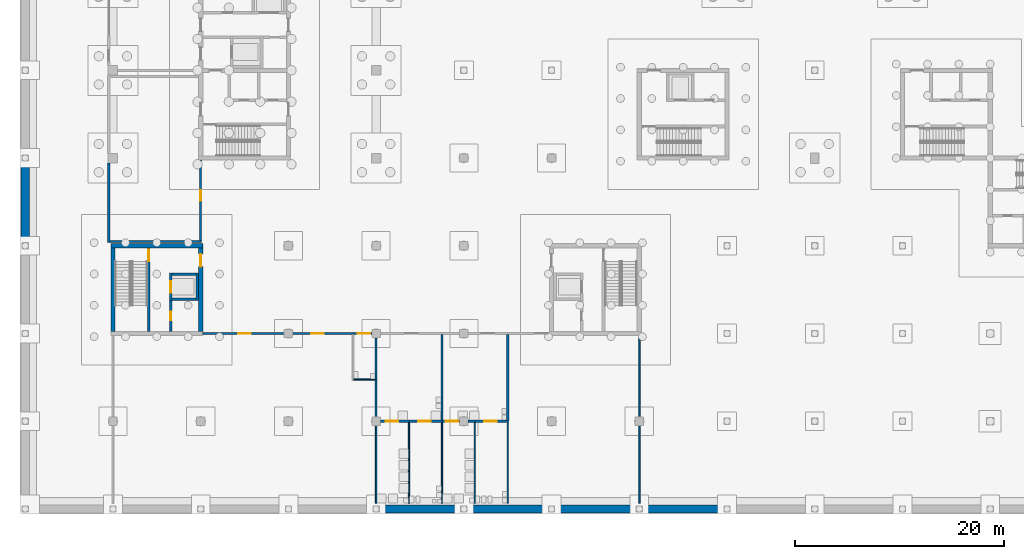
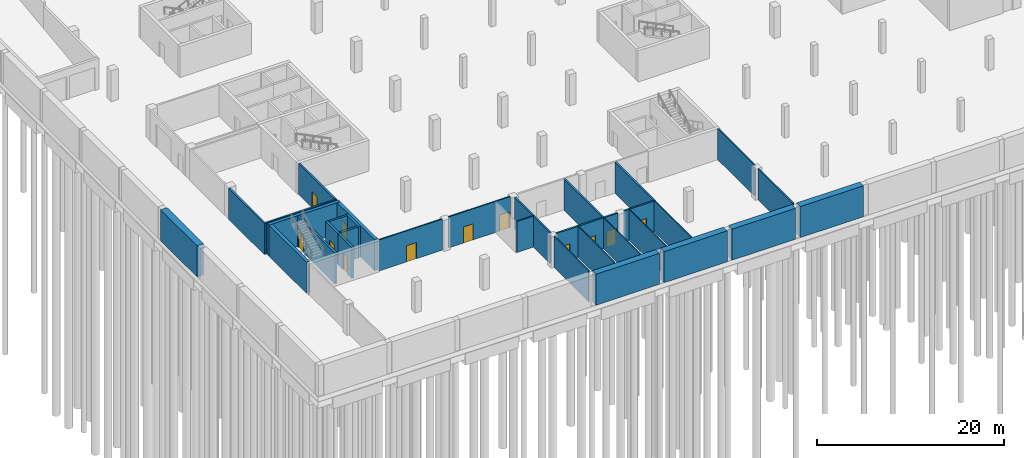
# One storey, part 8 of 23: 37 walls, 12 doors, 12 openings.
"""IFC4 building model written with IfcOpenShell, lengths in metres."""

from ifc_helpers import new_model, si_unit, direction, frame, frame_2d, origin, place, context, subcontext, project, spatial, rectangle, extrude, material, layer, layer_set, type_object, element, fill, save


model = new_model("IFC4")

# Units and contexts
model_context = context("Model", 3, precision=1e-05, world=origin(), true_north=direction((0.0, 1.0)))
body_context = subcontext(model_context, "Body", "Model", "MODEL_VIEW")
ifc_project = project(units=[si_unit("LENGTHUNIT", "METRE"), si_unit("AREAUNIT", "SQUARE_METRE"), si_unit("VOLUMEUNIT", "CUBIC_METRE"), si_unit("PLANEANGLEUNIT", "RADIAN"), si_unit("MASSUNIT", "GRAM", prefix="KILO")], contexts=[model_context])

# Site, building, storey
site_placement = place(None, origin())
site = spatial("IfcSite", under=ifc_project, at=site_placement, CompositionType="ELEMENT")
building_placement = place(site_placement, origin())
building = spatial("IfcBuilding", under=site, at=building_placement, Name="Hlaing Beacon Police Headquarters", CompositionType="ELEMENT")
storey_placement = place(building_placement, frame((0.0, 0.0, -4.5)))
storey = spatial("IfcBuildingStorey", under=building, at=storey_placement, Name="B1", CompositionType="ELEMENT", Elevation=-4.5)

# Walls
ifc_material_1 = material(Name="Concrete blockwork 7.5 N/mm2", Category="masonry")
ifc_layer_1 = layer(ifc_material_1, 0.199951171875)
ifc_layer_set_1 = layer_set([ifc_layer_1], Name="Concrete blockwork 7.5 N/mm2")
wall_type_1 = type_object("IfcWallType", Name="Compartment wall EI 60 200", PredefinedType="PARTITIONING", material=ifc_layer_set_1)
wall_1_placement = place(storey_placement, frame((33.60009765625, 8.800048828125, 0.0), z_axis=(0.0, 0.0, 1.0), x_axis=(0.0, 1.0, 0.0)))
element("IfcWall", 1, at=wall_1_placement, inside=storey, type_object=wall_type_1, Name="Compartment wall EI 60 200", PredefinedType="PARTITIONING", context=body_context, shape_type="SweptSolid", body=[
    extrude(rectangle(XDim=3.599853515625, YDim=0.199951171875, at=frame_2d((1.7998046875, 0.0))), origin(), (0.0, 0.0, 1.0), 4.050048828125),
])
wall_2_placement = place(storey_placement, frame((33.60009765625, 12.39990234375, 0.0), z_axis=(0.0, 0.0, 1.0), x_axis=(0.0, 1.0, 0.0)))
element("IfcWall", 2, at=wall_2_placement, inside=storey, type_object=wall_type_1, Name="Compartment wall EI 60 200", PredefinedType="PARTITIONING", context=body_context, shape_type="SweptSolid", body=[
    extrude(rectangle(XDim=4.0, YDim=0.199951171875, at=frame_2d((2.0, 0.0))), origin(), (0.0, 0.0, 1.0), 4.050048828125),
])

# Wall, opening, door
wall_3_placement = place(storey_placement, frame((34.0, 8.39990234375, 0.0), z_axis=(0.0, 0.0, 1.0), x_axis=(1.0, 0.0, 0.0)))
wall_3 = element("IfcWall", 3, at=wall_3_placement, inside=storey, type_object=wall_type_1, Name="Compartment wall EI 60 200", PredefinedType="PARTITIONING", context=body_context, shape_type="SweptSolid", body=[
    extrude(rectangle(XDim=2.75, YDim=0.199951171875, at=frame_2d((1.375, 0.0))), origin(), (0.0, 0.0, 1.0), 4.050048828125),
])
opening_1_placement = place(wall_3_placement, frame((0.5, 0.0, 0.0)))
opening_1 = element("IfcOpeningElement", 4, at=opening_1_placement, cuts=wall_3, Name="Opening B1-013", PredefinedType="OPENING", context=body_context, shape_type="SweptSolid", body=[
    extrude(rectangle(XDim=1.199951171875, YDim=2.10009765625, at=frame_2d((0.60009765625, 1.050048828125))), frame((0.0, 0.10986328125, 0.0), z_axis=(0.0, -1.0, 0.0), x_axis=(1.0, 0.0, 0.0)), (0.0, 0.0, 1.0), 0.219970703125),
])
ifc_material_2 = material(Name="Steel fire door leaf", Category="steel")
ifc_layer_2 = layer(ifc_material_2, 0.070068359375)
ifc_layer_set_2 = layer_set([ifc_layer_2], Name="Steel fire door leaf")
door_type_1 = type_object("IfcDoorType", Name="Steel plant door FD60 1200x2100", OperationType="SINGLE_SWING_LEFT", PredefinedType="DOOR", material=ifc_layer_set_2)
door_1_placement = place(opening_1_placement, frame((1.199951171875, 0.0, 0.0), z_axis=(0.0, 0.0, 1.0), x_axis=(-1.0, 0.0, 0.0)))
door_1 = element("IfcDoor", 5, at=door_1_placement, inside=storey, type_object=door_type_1, Name="Door Male Shower Room", OperationType="SINGLE_SWING_LEFT", OverallHeight=2.10009765625, OverallWidth=1.199951171875, PredefinedType="DOOR", context=body_context, shape_type="SweptSolid", body=[
    extrude(rectangle(XDim=1.199951171875, YDim=2.10009765625, at=frame_2d((0.599853515625, 1.050048828125))), frame((0.0, 0.034912109375, 0.0), z_axis=(0.0, -1.0, 0.0), x_axis=(1.0, 0.0, 0.0)), (0.0, 0.0, 1.0), 0.070068359375),
])
fill(opening_1, door_1)

wall_4_placement = place(storey_placement, frame((36.75, 8.39990234375, 0.0), z_axis=(0.0, 0.0, 1.0), x_axis=(1.0, 0.0, 0.0)))
wall_4 = element("IfcWall", 6, at=wall_4_placement, inside=storey, type_object=wall_type_1, Name="Compartment wall EI 60 200", PredefinedType="PARTITIONING", context=body_context, shape_type="SweptSolid", body=[
    extrude(rectangle(XDim=3.14990234375, YDim=0.199951171875, at=frame_2d((1.574951171875, 0.0))), origin(), (0.0, 0.0, 1.0), 4.050048828125),
])
opening_2_placement = place(wall_4_placement, frame((0.89990234375, 0.0, 0.0)))
opening_2 = element("IfcOpeningElement", 7, at=opening_2_placement, cuts=wall_4, Name="Opening B1-014", PredefinedType="OPENING", context=body_context, shape_type="SweptSolid", body=[
    extrude(rectangle(XDim=1.199951171875, YDim=2.10009765625, at=frame_2d((0.60009765625, 1.050048828125))), frame((0.0, 0.10986328125, 0.0), z_axis=(0.0, -1.0, 0.0), x_axis=(1.0, 0.0, 0.0)), (0.0, 0.0, 1.0), 0.219970703125),
])
door_2_placement = place(opening_2_placement, frame((1.199951171875, 0.0, 0.0), z_axis=(0.0, 0.0, 1.0), x_axis=(-1.0, 0.0, 0.0)))
door_2 = element("IfcDoor", 8, at=door_2_placement, inside=storey, type_object=door_type_1, Name="Door Male Changing Room WC", OperationType="SINGLE_SWING_LEFT", OverallHeight=2.10009765625, OverallWidth=1.199951171875, PredefinedType="DOOR", context=body_context, shape_type="SweptSolid", body=[
    extrude(rectangle(XDim=1.199951171875, YDim=2.10009765625, at=frame_2d((0.599853515625, 1.050048828125))), frame((0.0, 0.034912109375, 0.0), z_axis=(0.0, -1.0, 0.0), x_axis=(1.0, 0.0, 0.0)), (0.0, 0.0, 1.0), 0.070068359375),
])
fill(opening_2, door_2)

# Wall
wall_5_placement = place(storey_placement, frame((39.89990234375, 8.5, 0.0), z_axis=(0.0, 0.0, 1.0), x_axis=(0.0, 1.0, 0.0)))
element("IfcWall", 9, at=wall_5_placement, inside=storey, type_object=wall_type_1, Name="Compartment wall EI 60 200", PredefinedType="PARTITIONING", context=body_context, shape_type="SweptSolid", body=[
    extrude(rectangle(XDim=8.199951171875, YDim=0.199951171875, at=frame_2d((4.10009765625, 0.0))), origin(), (0.0, 0.0, 1.0), 4.050048828125),
])

# Wall, opening, door
wall_6_placement = place(storey_placement, frame((39.89990234375, 8.39990234375, 0.0), z_axis=(0.0, 0.0, 1.0), x_axis=(1.0, 0.0, 0.0)))
wall_6 = element("IfcWall", 10, at=wall_6_placement, inside=storey, type_object=wall_type_1, Name="Compartment wall EI 60 200", PredefinedType="PARTITIONING", context=body_context, shape_type="SweptSolid", body=[
    extrude(rectangle(XDim=1.7001953125, YDim=0.199951171875, at=frame_2d((0.85009765625, 0.0))), origin(), (0.0, 0.0, 1.0), 4.050048828125),
])
opening_3_placement = place(wall_6_placement, frame((0.35009765625, 0.0, 0.0)))
opening_3 = element("IfcOpeningElement", 11, at=opening_3_placement, cuts=wall_6, Name="Opening B1-016", PredefinedType="OPENING", context=body_context, shape_type="SweptSolid", body=[
    extrude(rectangle(XDim=1.199951171875, YDim=2.10009765625, at=frame_2d((0.60009765625, 1.050048828125))), frame((0.0, 0.10986328125, 0.0), z_axis=(0.0, -1.0, 0.0), x_axis=(1.0, 0.0, 0.0)), (0.0, 0.0, 1.0), 0.219970703125),
])
door_3_placement = place(opening_3_placement, frame((1.199951171875, 0.0, 0.0), z_axis=(0.0, 0.0, 1.0), x_axis=(-1.0, 0.0, 0.0)))
door_3 = element("IfcDoor", 12, at=door_3_placement, inside=storey, type_object=door_type_1, Name="Door Female Shower Room", OperationType="SINGLE_SWING_LEFT", OverallHeight=2.10009765625, OverallWidth=1.199951171875, PredefinedType="DOOR", context=body_context, shape_type="SweptSolid", body=[
    extrude(rectangle(XDim=1.199951171875, YDim=2.10009765625, at=frame_2d((0.599853515625, 1.050048828125))), frame((0.0, 0.034912109375, 0.0), z_axis=(0.0, -1.0, 0.0), x_axis=(1.0, 0.0, 0.0)), (0.0, 0.0, 1.0), 0.070068359375),
])
fill(opening_3, door_3)

# Wall
wall_7_placement = place(storey_placement, frame((42.39990234375, 8.39990234375, 0.0), z_axis=(0.0, 0.0, 1.0), x_axis=(1.0, 0.0, 0.0)))
element("IfcWall", 13, at=wall_7_placement, inside=storey, type_object=wall_type_1, Name="Compartment wall EI 60 200", PredefinedType="PARTITIONING", context=body_context, shape_type="SweptSolid", body=[
    extrude(rectangle(XDim=0.650146484375, YDim=0.199951171875, at=frame_2d((0.3251953125, 0.0))), origin(), (0.0, 0.0, 1.0), 4.050048828125),
])

# Wall, opening, door
wall_8_placement = place(storey_placement, frame((43.050048828125, 8.39990234375, 0.0), z_axis=(0.0, 0.0, 1.0), x_axis=(1.0, 0.0, 0.0)))
wall_8 = element("IfcWall", 14, at=wall_8_placement, inside=storey, type_object=wall_type_1, Name="Compartment wall EI 60 200", PredefinedType="PARTITIONING", context=body_context, shape_type="SweptSolid", body=[
    extrude(rectangle(XDim=3.050048828125, YDim=0.199951171875, at=frame_2d((1.52490234375, 0.0))), origin(), (0.0, 0.0, 1.0), 4.050048828125),
])
opening_4_placement = place(wall_8_placement, frame((0.89990234375, 0.0, 0.0)))
opening_4 = element("IfcOpeningElement", 15, at=opening_4_placement, cuts=wall_8, Name="Opening B1-017", PredefinedType="OPENING", context=body_context, shape_type="SweptSolid", body=[
    extrude(rectangle(XDim=1.199951171875, YDim=2.10009765625, at=frame_2d((0.60009765625, 1.050048828125))), frame((0.0, 0.10986328125, 0.0), z_axis=(0.0, -1.0, 0.0), x_axis=(1.0, 0.0, 0.0)), (0.0, 0.0, 1.0), 0.219970703125),
])
door_4_placement = place(opening_4_placement, frame((1.199951171875, 0.0, 0.0), z_axis=(0.0, 0.0, 1.0), x_axis=(-1.0, 0.0, 0.0)))
door_4 = element("IfcDoor", 16, at=door_4_placement, inside=storey, type_object=door_type_1, Name="Door Female Changing Room WC", OperationType="SINGLE_SWING_RIGHT", OverallHeight=2.10009765625, OverallWidth=1.199951171875, PredefinedType="DOOR", context=body_context, shape_type="SweptSolid", body=[
    extrude(rectangle(XDim=1.199951171875, YDim=2.10009765625, at=frame_2d((0.599853515625, 1.050048828125))), frame((0.0, 0.034912109375, 0.0), z_axis=(0.0, -1.0, 0.0), x_axis=(1.0, 0.0, 0.0)), (0.0, 0.0, 1.0), 0.070068359375),
])
fill(opening_4, door_4)

# Walls
wall_9_placement = place(storey_placement, frame((46.199951171875, 8.39990234375, 0.0), z_axis=(0.0, 0.0, 1.0), x_axis=(0.0, 1.0, 0.0)))
element("IfcWall", 17, at=wall_9_placement, inside=storey, type_object=wall_type_1, Name="Compartment wall EI 60 200", PredefinedType="PARTITIONING", context=body_context, shape_type="SweptSolid", body=[
    extrude(rectangle(XDim=8.300048828125, YDim=0.199951171875, at=frame_2d((4.14990234375, 0.0))), origin(), (0.0, 0.0, 1.0), 4.050048828125),
])
ifc_material_3 = material(Name="Concrete C60/75", Category="concrete")
ifc_layer_3 = layer(ifc_material_3, 0.39990234375)
ifc_layer_set_3 = layer_set([ifc_layer_3], Name="Concrete C60/75")
wall_type_2 = type_object("IfcWallType", Name="Core shear wall 400", PredefinedType="SHEAR", material=ifc_layer_set_3)
wall_10_placement = place(storey_placement, frame((8.199951171875, 25.199951171875, 0.0), z_axis=(0.0, 0.0, 1.0), x_axis=(1.0, 0.0, 0.0)))
element("IfcWall", 18, at=wall_10_placement, inside=storey, type_object=wall_type_2, Name="Core shear wall", PredefinedType="SHEAR", context=body_context, shape_type="SweptSolid", body=[
    extrude(rectangle(XDim=8.800048828125, YDim=0.39990234375, at=frame_2d((4.39990234375, 0.0))), origin(), (0.0, 0.0, 1.0), 4.050048828125),
])
wall_11_placement = place(storey_placement, frame((8.39990234375, 17.0, 0.0), z_axis=(0.0, 0.0, 1.0), x_axis=(0.0, 1.0, 0.0)))
element("IfcWall", 19, at=wall_11_placement, inside=storey, type_object=wall_type_2, Name="Core shear wall", PredefinedType="SHEAR", context=body_context, shape_type="SweptSolid", body=[
    extrude(rectangle(XDim=8.0, YDim=0.39990234375, at=frame_2d((4.0, 0.0))), origin(), (0.0, 0.0, 1.0), 4.050048828125),
])

# Wall, opening, door
wall_12_placement = place(storey_placement, frame((16.800048828125, 17.0, 0.0), z_axis=(0.0, 0.0, 1.0), x_axis=(0.0, 1.0, 0.0)))
wall_12 = element("IfcWall", 20, at=wall_12_placement, inside=storey, type_object=wall_type_2, Name="Core shear wall", PredefinedType="SHEAR", context=body_context, shape_type="SweptSolid", body=[
    extrude(rectangle(XDim=8.0, YDim=0.39990234375, at=frame_2d((4.0, 0.0))), origin(), (0.0, 0.0, 1.0), 4.050048828125),
])
opening_5_placement = place(wall_12_placement, frame((6.199951171875, 0.0, 0.0)))
opening_5 = element("IfcOpeningElement", 21, at=opening_5_placement, cuts=wall_12, Name="Opening B1-929", PredefinedType="OPENING", context=body_context, shape_type="SweptSolid", body=[
    extrude(rectangle(XDim=1.199951171875, YDim=2.10009765625, at=frame_2d((0.60009765625, 1.050048828125))), frame((0.0, 0.2099609375, 0.0), z_axis=(0.0, -1.0, 0.0), x_axis=(1.0, 0.0, 0.0)), (0.0, 0.0, 1.0), 0.419921875),
])
ifc_material_4 = material(Name="Steel fire door leaf", Category="steel")
ifc_layer_4 = layer(ifc_material_4, 0.070068359375)
ifc_layer_set_4 = layer_set([ifc_layer_4], Name="Steel fire door leaf")
door_type_2 = type_object("IfcDoorType", Name="Steel fire door FD60S 1200x2100", OperationType="SINGLE_SWING_LEFT", PredefinedType="DOOR", material=ifc_layer_set_4)
door_5_placement = place(opening_5_placement, origin())
door_5 = element("IfcDoor", 22, at=door_5_placement, inside=storey, type_object=door_type_2, Name="Door Lift and Stair Lobby ST-J Entry", OperationType="SINGLE_SWING_RIGHT", OverallHeight=2.10009765625, OverallWidth=1.199951171875, PredefinedType="DOOR", context=body_context, shape_type="SweptSolid", body=[
    extrude(rectangle(XDim=1.199951171875, YDim=2.10009765625, at=frame_2d((0.60009765625, 1.050048828125))), frame((0.0, 0.03515625, 0.0), z_axis=(0.0, -1.0, 0.0), x_axis=(1.0, 0.0, 0.0)), (0.0, 0.0, 1.0), 0.070068359375),
])
fill(opening_5, door_5)

ifc_material_5 = material(Name="Gypsum board partition")
ifc_layer_5 = layer(ifc_material_5, 0.14990234375)
ifc_layer_set_5 = layer_set([ifc_layer_5], Name="Gypsum board partition")
wall_type_3 = type_object("IfcWallType", Name="Corridor wall EI 30 150", PredefinedType="PARTITIONING", material=ifc_layer_set_5)
wall_13_placement = place(storey_placement, frame((17.0, 16.800048828125, 0.0), z_axis=(0.0, 0.0, 1.0), x_axis=(1.0, 0.0, 0.0)))
wall_13 = element("IfcWall", 23, at=wall_13_placement, inside=storey, type_object=wall_type_3, Name="Corridor wall EI 30 150", PredefinedType="PARTITIONING", context=body_context, shape_type="SweptSolid", body=[
    extrude(rectangle(XDim=7.800048828125, YDim=0.14990234375, at=frame_2d((3.89990234375, 0.0))), origin(), (0.0, 0.0, 1.0), 4.050048828125),
])
opening_6_placement = place(wall_13_placement, frame((3.39990234375, 0.0, 0.0)))
opening_6 = element("IfcOpeningElement", 24, at=opening_6_placement, cuts=wall_13, Name="Opening B1-009", PredefinedType="OPENING", context=body_context, shape_type="SweptSolid", body=[
    extrude(rectangle(XDim=1.199951171875, YDim=2.10009765625, at=frame_2d((0.60009765625, 1.050048828125))), frame((0.0, 0.0849609375, 0.0), z_axis=(0.0, -1.0, 0.0), x_axis=(1.0, 0.0, 0.0)), (0.0, 0.0, 1.0), 0.169921875),
])
ifc_material_6 = material(Name="Steel fire door leaf", Category="steel")
ifc_layer_6 = layer(ifc_material_6, 0.06005859375)
ifc_layer_set_6 = layer_set([ifc_layer_6], Name="Steel fire door leaf")
door_type_3 = type_object("IfcDoorType", Name="Steel plant door FD30S 1200x2100", OperationType="SINGLE_SWING_LEFT", PredefinedType="DOOR", material=ifc_layer_set_6)
door_6_placement = place(opening_6_placement, origin())
door_6 = element("IfcDoor", 25, at=door_6_placement, inside=storey, type_object=door_type_3, Name="Door Motorcycle and Bicycle Parking", OperationType="SINGLE_SWING_RIGHT", OverallHeight=2.10009765625, OverallWidth=1.199951171875, PredefinedType="DOOR", context=body_context, shape_type="SweptSolid", body=[
    extrude(rectangle(XDim=1.199951171875, YDim=2.10009765625, at=frame_2d((0.60009765625, 1.050048828125))), frame((0.0, 0.030029296875, 0.0), z_axis=(0.0, -1.0, 0.0), x_axis=(1.0, 0.0, 0.0)), (0.0, 0.0, 1.0), 0.06005859375),
])
fill(opening_6, door_6)

wall_14_placement = place(storey_placement, frame((25.60009765625, 16.800048828125, 0.0), z_axis=(0.0, 0.0, 1.0), x_axis=(1.0, 0.0, 0.0)))
wall_14 = element("IfcWall", 26, at=wall_14_placement, inside=storey, type_object=wall_type_3, Name="Corridor wall EI 30 150", PredefinedType="PARTITIONING", context=body_context, shape_type="SweptSolid", body=[
    extrude(rectangle(XDim=5.7998046875, YDim=0.14990234375, at=frame_2d((2.89990234375, 0.0))), origin(), (0.0, 0.0, 1.0), 4.050048828125),
])
opening_7_placement = place(wall_14_placement, frame((1.800048828125, 0.0, 0.0)))
opening_7 = element("IfcOpeningElement", 27, at=opening_7_placement, cuts=wall_14, Name="Opening B1-010", PredefinedType="OPENING", context=body_context, shape_type="SweptSolid", body=[
    extrude(rectangle(XDim=1.199951171875, YDim=2.10009765625, at=frame_2d((0.60009765625, 1.050048828125))), frame((0.0, 0.0849609375, 0.0), z_axis=(0.0, -1.0, 0.0), x_axis=(1.0, 0.0, 0.0)), (0.0, 0.0, 1.0), 0.169921875),
])
door_7_placement = place(opening_7_placement, origin())
door_7 = element("IfcDoor", 28, at=door_7_placement, inside=storey, type_object=door_type_3, Name="Door Motorcycle and Bicycle Parking", OperationType="SINGLE_SWING_LEFT", OverallHeight=2.10009765625, OverallWidth=1.199951171875, PredefinedType="DOOR", context=body_context, shape_type="SweptSolid", body=[
    extrude(rectangle(XDim=1.199951171875, YDim=2.10009765625, at=frame_2d((0.60009765625, 1.050048828125))), frame((0.0, 0.030029296875, 0.0), z_axis=(0.0, -1.0, 0.0), x_axis=(1.0, 0.0, 0.0)), (0.0, 0.0, 1.0), 0.06005859375),
])
fill(opening_7, door_7)

wall_15_placement = place(storey_placement, frame((31.39990234375, 16.800048828125, 0.0), z_axis=(0.0, 0.0, 1.0), x_axis=(1.0, 0.0, 0.0)))
wall_15 = element("IfcWall", 29, at=wall_15_placement, inside=storey, type_object=wall_type_3, Name="Corridor wall EI 30 150", PredefinedType="PARTITIONING", context=body_context, shape_type="SweptSolid", body=[
    extrude(rectangle(XDim=1.800048828125, YDim=0.14990234375, at=frame_2d((0.89990234375, 0.0))), origin(), (0.0, 0.0, 1.0), 4.050048828125),
])
opening_8_placement = place(wall_15_placement, frame((0.449951171875, 0.0, 0.0)))
opening_8 = element("IfcOpeningElement", 30, at=opening_8_placement, cuts=wall_15, Name="Opening B1-011", PredefinedType="OPENING", context=body_context, shape_type="SweptSolid", body=[
    extrude(rectangle(XDim=1.199951171875, YDim=2.10009765625, at=frame_2d((0.60009765625, 1.050048828125))), frame((0.0, 0.0849609375, 0.0), z_axis=(0.0, -1.0, 0.0), x_axis=(1.0, 0.0, 0.0)), (0.0, 0.0, 1.0), 0.169921875),
])
door_8_placement = place(opening_8_placement, frame((1.199951171875, 0.0, 0.0), z_axis=(0.0, 0.0, 1.0), x_axis=(-1.0, 0.0, 0.0)))
door_8 = element("IfcDoor", 31, at=door_8_placement, inside=storey, type_object=door_type_3, Name="Door Basement Accessible WC", OperationType="SINGLE_SWING_RIGHT", OverallHeight=2.10009765625, OverallWidth=1.199951171875, PredefinedType="DOOR", context=body_context, shape_type="SweptSolid", body=[
    extrude(rectangle(XDim=1.199951171875, YDim=2.10009765625, at=frame_2d((0.599853515625, 1.050048828125))), frame((0.0, 0.030029296875, 0.0), z_axis=(0.0, -1.0, 0.0), x_axis=(1.0, 0.0, 0.0)), (0.0, 0.0, 1.0), 0.06005859375),
])
fill(opening_8, door_8)

# Walls
wall_16_placement = place(storey_placement, frame((58.800048828125, 0.550048828125, 0.0), z_axis=(0.0, 0.0, 1.0), x_axis=(0.0, 1.0, 0.0)))
element("IfcWall", 32, at=wall_16_placement, inside=storey, type_object=wall_type_3, Name="Corridor wall EI 30 150", PredefinedType="PARTITIONING", context=body_context, shape_type="SweptSolid", body=[
    extrude(rectangle(XDim=7.449951171875, YDim=0.14990234375, at=frame_2d((3.72509765625, 0.0))), origin(), (0.0, 0.0, 1.0), 4.050048828125),
])
wall_17_placement = place(storey_placement, frame((58.800048828125, 8.800048828125, 0.0), z_axis=(0.0, 0.0, 1.0), x_axis=(0.0, 1.0, 0.0)))
element("IfcWall", 33, at=wall_17_placement, inside=storey, type_object=wall_type_3, Name="Corridor wall EI 30 150", PredefinedType="PARTITIONING", context=body_context, shape_type="SweptSolid", body=[
    extrude(rectangle(XDim=7.800048828125, YDim=0.14990234375, at=frame_2d((3.89990234375, 0.0))), origin(), (0.0, 0.0, 1.0), 4.050048828125),
])
ifc_material_7 = material(Name="Concrete blockwork 7.5 N/mm2", Category="masonry")
ifc_layer_7 = layer(ifc_material_7, 0.199951171875)
ifc_layer_set_7 = layer_set([ifc_layer_7], Name="Concrete blockwork 7.5 N/mm2")
wall_type_4 = type_object("IfcWallType", Name="Evidence store wall EI 60 200", PredefinedType="PARTITIONING", material=ifc_layer_set_7)
wall_18_placement = place(storey_placement, frame((8.0, 25.5, 0.0), z_axis=(0.0, 0.0, 1.0), x_axis=(0.0, 1.0, 0.0)))
element("IfcWall", 34, at=wall_18_placement, inside=storey, type_object=wall_type_4, Name="Evidence store wall EI 60 200", PredefinedType="PARTITIONING", context=body_context, shape_type="SweptSolid", body=[
    extrude(rectangle(XDim=7.64990234375, YDim=0.199951171875, at=frame_2d((3.824951171875, 0.0))), origin(), (0.0, 0.0, 1.0), 4.050048828125),
])
wall_19_placement = place(storey_placement, frame((8.10009765625, 25.60009765625, 0.0), z_axis=(0.0, 0.0, 1.0), x_axis=(1.0, 0.0, 0.0)))
element("IfcWall", 35, at=wall_19_placement, inside=storey, type_object=wall_type_4, Name="Evidence store wall EI 60 200", PredefinedType="PARTITIONING", context=body_context, shape_type="SweptSolid", body=[
    extrude(rectangle(XDim=8.7998046875, YDim=0.199951171875, at=frame_2d((4.39990234375, 0.0))), origin(), (0.0, 0.0, 1.0), 4.050048828125),
])

# Wall, opening, door
wall_20_placement = place(storey_placement, frame((16.800048828125, 25.699951171875, 0.0), z_axis=(0.0, 0.0, 1.0), x_axis=(0.0, 1.0, 0.0)))
wall_20 = element("IfcWall", 36, at=wall_20_placement, inside=storey, type_object=wall_type_4, Name="Evidence store wall EI 60 200", PredefinedType="PARTITIONING", context=body_context, shape_type="SweptSolid", body=[
    extrude(rectangle(XDim=7.699951171875, YDim=0.199951171875, at=frame_2d((3.85009765625, 0.0))), origin(), (0.0, 0.0, 1.0), 4.050048828125),
])
opening_9_placement = place(wall_20_placement, frame((3.800048828125, 0.0, 0.0)))
opening_9 = element("IfcOpeningElement", 37, at=opening_9_placement, cuts=wall_20, Name="Opening B1-020", PredefinedType="OPENING", context=body_context, shape_type="SweptSolid", body=[
    extrude(rectangle(XDim=1.0, YDim=2.10009765625, at=frame_2d((0.5, 1.050048828125))), frame((0.0, 0.10986328125, 0.0), z_axis=(0.0, -1.0, 0.0), x_axis=(1.0, 0.0, 0.0)), (0.0, 0.0, 1.0), 0.219970703125),
])
ifc_material_8 = material(Name="Steel security door leaf", Category="steel")
ifc_layer_8 = layer(ifc_material_8, 0.090087890625)
ifc_layer_set_8 = layer_set([ifc_layer_8], Name="Steel security door leaf")
door_type_4 = type_object("IfcDoorType", Name="Steel security door FD60 1000x2100", OperationType="SINGLE_SWING_LEFT", PredefinedType="DOOR", material=ifc_layer_set_8)
door_9_placement = place(opening_9_placement, origin())
door_9 = element("IfcDoor", 38, at=door_9_placement, inside=storey, type_object=door_type_4, Name="Door Evidence Archive Store", OperationType="SINGLE_SWING_LEFT", OverallHeight=2.10009765625, OverallWidth=1.0, PredefinedType="DOOR", context=body_context, shape_type="SweptSolid", body=[
    extrude(rectangle(XDim=1.0, YDim=2.10009765625, at=frame_2d((0.5, 1.050048828125))), frame((0.0, 0.044921875, 0.0), z_axis=(0.0, -1.0, 0.0), x_axis=(1.0, 0.0, 0.0)), (0.0, 0.0, 1.0), 0.090087890625),
])
fill(opening_9, door_9)

# Walls
ifc_material_9 = material(Name="Gypsum board partition")
ifc_layer_9 = layer(ifc_material_9, 0.125)
ifc_layer_set_9 = layer_set([ifc_layer_9], Name="Gypsum board partition")
wall_type_5 = type_object("IfcWallType", Name="Partition 125", PredefinedType="PARTITIONING", material=ifc_layer_set_9)
wall_21_placement = place(storey_placement, frame((31.4619140625, 12.39990234375, 0.0), z_axis=(0.0, 0.0, 1.0), x_axis=(1.0, 0.0, 0.0)))
element("IfcWall", 39, at=wall_21_placement, inside=storey, type_object=wall_type_5, Name="Partition 125", PredefinedType="PARTITIONING", context=body_context, shape_type="SweptSolid", body=[
    extrude(rectangle(XDim=2.0380859375, YDim=0.125, at=frame_2d((1.01904296875, 0.0))), origin(), (0.0, 0.0, 1.0), 4.050048828125),
])
wall_22_placement = place(storey_placement, frame((33.60009765625, 0.550048828125, 0.0), z_axis=(0.0, 0.0, 1.0), x_axis=(0.0, 1.0, 0.0)))
element("IfcWall", 40, at=wall_22_placement, inside=storey, type_object=wall_type_5, Name="Partition 125", PredefinedType="PARTITIONING", context=body_context, shape_type="SweptSolid", body=[
    extrude(rectangle(XDim=7.449951171875, YDim=0.125, at=frame_2d((3.72509765625, 0.0))), origin(), (0.0, 0.0, 1.0), 4.050048828125),
])
for number, where, z_axis, x_axis, name in (
    (41, (36.75, 0.550048828125, 0.0), (0.0, 0.0, 1.0), (0.0, 1.0, 0.0), "Partition 125"),
    (42, (39.89990234375, 0.550048828125, 0.0), (0.0, 0.0, 1.0), (0.0, 1.0, 0.0), "Partition 125"),
    (43, (43.050048828125, 0.550048828125, 0.0), (0.0, 0.0, 1.0), (0.0, 1.0, 0.0), "Partition 125"),
):
    element("IfcWall", number, at=place(storey_placement, frame(where, z_axis=z_axis, x_axis=x_axis)), inside=storey, type_object=wall_type_5, Name=name, PredefinedType="PARTITIONING", context=body_context, shape_type="SweptSolid", body=[
        extrude(rectangle(XDim=7.75, YDim=0.125, at=frame_2d((3.875, 0.0))), origin(), (0.0, 0.0, 1.0), 4.050048828125),
    ])
wall_23_placement = place(storey_placement, frame((46.199951171875, 0.550048828125, 0.0), z_axis=(0.0, 0.0, 1.0), x_axis=(0.0, 1.0, 0.0)))
element("IfcWall", 44, at=wall_23_placement, inside=storey, type_object=wall_type_5, Name="Partition 125", PredefinedType="PARTITIONING", context=body_context, shape_type="SweptSolid", body=[
    extrude(rectangle(XDim=7.849853515625, YDim=0.125, at=frame_2d((3.9248046875, 0.0))), origin(), (0.0, 0.0, 1.0), 4.050048828125),
])
ifc_material_10 = material(Name="Concrete C50/60", Category="concrete")
ifc_layer_10 = layer(ifc_material_10, 0.800048828125)
ifc_layer_set_10 = layer_set([ifc_layer_10], Name="Concrete C50/60")
wall_type_6 = type_object("IfcWallType", Name="Retaining wall 800", PredefinedType="SOLIDWALL", material=ifc_layer_set_10)
for number, where, z_axis, x_axis, name in (
    (45, (33.89990234375, 0.0, 0.0), (0.0, 0.0, 1.0), (1.0, 0.0, 0.0), "STR-RW-B1-S05"),
    (46, (42.300048828125, 0.0, 0.0), (0.0, 0.0, 1.0), (1.0, 0.0, 0.0), "STR-RW-B1-S06"),
    (47, (50.699951171875, 0.0, 0.0), (0.0, 0.0, 1.0), (1.0, 0.0, 0.0), "STR-RW-B1-S07"),
):
    element("IfcWall", number, at=place(storey_placement, frame(where, z_axis=z_axis, x_axis=x_axis)), inside=storey, type_object=wall_type_6, Name=name, PredefinedType="SOLIDWALL", context=body_context, shape_type="SweptSolid", body=[
        extrude(rectangle(XDim=7.800048828125, YDim=0.800048828125, at=frame_2d((3.89990234375, 0.0))), origin(), (0.0, 0.0, 1.0), 4.050048828125),
    ])
wall_24_placement = place(storey_placement, frame((59.10009765625, 0.0, 0.0), z_axis=(0.0, 0.0, 1.0), x_axis=(1.0, 0.0, 0.0)))
element("IfcWall", 48, at=wall_24_placement, inside=storey, type_object=wall_type_6, Name="STR-RW-B1-S08", PredefinedType="SOLIDWALL", context=body_context, shape_type="SweptSolid", body=[
    extrude(rectangle(XDim=7.7998046875, YDim=0.800048828125, at=frame_2d((3.89990234375, 0.0))), origin(), (0.0, 0.0, 1.0), 4.050048828125),
])
wall_25_placement = place(storey_placement, frame((0.0, 25.5, 0.0), z_axis=(0.0, 0.0, 1.0), x_axis=(0.0, 1.0, 0.0)))
element("IfcWall", 49, at=wall_25_placement, inside=storey, type_object=wall_type_6, Name="STR-RW-B1-W04", PredefinedType="SOLIDWALL", context=body_context, shape_type="SweptSolid", body=[
    extrude(rectangle(XDim=7.800048828125, YDim=0.800048828125, at=frame_2d((3.89990234375, 0.0))), origin(), (0.0, 0.0, 1.0), 4.050048828125),
])

# Wall, opening, door
ifc_material_11 = material(Name="Concrete C40/50", Category="concrete")
ifc_layer_11 = layer(ifc_material_11, 0.25)
ifc_layer_set_11 = layer_set([ifc_layer_11], Name="Concrete C40/50")
wall_type_7 = type_object("IfcWallType", Name="Shaft wall 250", PredefinedType="SOLIDWALL", material=ifc_layer_set_11)
wall_26_placement = place(storey_placement, frame((11.824951171875, 25.0, 0.0), z_axis=(0.0, 0.0, 1.0), x_axis=(0.0, -1.0, 0.0)))
wall_26 = element("IfcWall", 50, at=wall_26_placement, inside=storey, type_object=wall_type_7, Name="Stair enclosure wall", PredefinedType="SOLIDWALL", context=body_context, shape_type="SweptSolid", body=[
    extrude(rectangle(XDim=8.0, YDim=0.25, at=frame_2d((4.0, 0.0))), origin(), (0.0, 0.0, 1.0), 4.050048828125),
])
opening_10_placement = place(wall_26_placement, frame((0.199951171875, 0.0, 0.0)))
opening_10 = element("IfcOpeningElement", 51, at=opening_10_placement, cuts=wall_26, Name="Opening B1-931", PredefinedType="OPENING", context=body_context, shape_type="SweptSolid", body=[
    extrude(rectangle(XDim=1.10009765625, YDim=2.10009765625, at=frame_2d((0.550048828125, 1.050048828125))), frame((0.0, 0.135009765625, 0.0), z_axis=(0.0, -1.0, 0.0), x_axis=(1.0, 0.0, 0.0)), (0.0, 0.0, 1.0), 0.27001953125),
])
ifc_material_12 = material(Name="Steel fire door leaf", Category="steel")
ifc_layer_12 = layer(ifc_material_12, 0.070068359375)
ifc_layer_set_12 = layer_set([ifc_layer_12], Name="Steel fire door leaf")
door_type_5 = type_object("IfcDoorType", Name="Steel fire door FD60 1100x2100", OperationType="SINGLE_SWING_LEFT", PredefinedType="DOOR", material=ifc_layer_set_12)
door_10_placement = place(opening_10_placement, frame((1.10009765625, 0.0, 0.0), z_axis=(0.0, 0.0, 1.0), x_axis=(-1.0, 0.0, 0.0)))
door_10 = element("IfcDoor", 52, at=door_10_placement, inside=storey, type_object=door_type_5, Name="Door Stair ST-J", OperationType="SINGLE_SWING_LEFT", OverallHeight=2.10009765625, OverallWidth=1.10009765625, PredefinedType="DOOR", context=body_context, shape_type="SweptSolid", body=[
    extrude(rectangle(XDim=1.10009765625, YDim=2.10009765625, at=frame_2d((0.550048828125, 1.050048828125))), frame((0.0, 0.034912109375, 0.0), z_axis=(0.0, -1.0, 0.0), x_axis=(1.0, 0.0, 0.0)), (0.0, 0.0, 1.0), 0.070068359375),
])
fill(opening_10, door_10)

wall_27_placement = place(storey_placement, frame((13.925048828125, 19.949951171875, 0.0), z_axis=(0.0, 0.0, 1.0), x_axis=(0.0, -1.0, 0.0)))
wall_27 = element("IfcWall", 53, at=wall_27_placement, inside=storey, type_object=wall_type_7, Name="Lobby wall", PredefinedType="SOLIDWALL", context=body_context, shape_type="SweptSolid", body=[
    extrude(rectangle(XDim=2.949951171875, YDim=0.25, at=frame_2d((1.47509765625, 0.0))), origin(), (0.0, 0.0, 1.0), 4.050048828125),
])
opening_11_placement = place(wall_27_placement, frame((1.074951171875, 0.0, 0.0)))
opening_11 = element("IfcOpeningElement", 54, at=opening_11_placement, cuts=wall_27, Name="Opening B1-930", PredefinedType="OPENING", context=body_context, shape_type="SweptSolid", body=[
    extrude(rectangle(XDim=0.800048828125, YDim=2.10009765625, at=frame_2d((0.39990234375, 1.050048828125))), frame((0.0, 0.135009765625, 0.0), z_axis=(0.0, -1.0, 0.0), x_axis=(1.0, 0.0, 0.0)), (0.0, 0.0, 1.0), 0.27001953125),
])
ifc_material_13 = material(Name="Steel fire door leaf", Category="steel")
ifc_layer_13 = layer(ifc_material_13, 0.070068359375)
ifc_layer_set_13 = layer_set([ifc_layer_13], Name="Steel fire door leaf")
door_type_6 = type_object("IfcDoorType", Name="Steel fire door FD60 800x2100", OperationType="SINGLE_SWING_LEFT", PredefinedType="DOOR", material=ifc_layer_set_13)
door_11_placement = place(opening_11_placement, origin())
door_11 = element("IfcDoor", 55, at=door_11_placement, inside=storey, type_object=door_type_6, Name="Door Services Riser", OperationType="SINGLE_SWING_LEFT", OverallHeight=2.10009765625, OverallWidth=0.800048828125, PredefinedType="DOOR", context=body_context, shape_type="SweptSolid", body=[
    extrude(rectangle(XDim=0.800048828125, YDim=2.10009765625, at=frame_2d((0.39990234375, 1.050048828125))), frame((0.0, 0.03515625, 0.0), z_axis=(0.0, -1.0, 0.0), x_axis=(1.0, 0.0, 0.0)), (0.0, 0.0, 1.0), 0.070068359375),
])
fill(opening_11, door_11)

# Walls
wall_28_placement = place(storey_placement, frame((16.47509765625, 19.949951171875, 0.0), z_axis=(0.0, 0.0, 1.0), x_axis=(0.0, 1.0, 0.0)))
element("IfcWall", 56, at=wall_28_placement, inside=storey, type_object=wall_type_7, Name="Lift shaft wall PL5", PredefinedType="SOLIDWALL", context=body_context, shape_type="SweptSolid", body=[
    extrude(rectangle(XDim=2.650146484375, YDim=0.25, at=frame_2d((1.3251953125, 0.0))), origin(), (0.0, 0.0, 1.0), 4.050048828125),
])
for number, where, z_axis, x_axis, name in (
    (57, (14.050048828125, 22.47509765625, 0.0), (0.0, 0.0, 1.0), (1.0, 0.0, 0.0), "Lift shaft wall PL5"),
    (58, (14.050048828125, 20.074951171875, 0.0), (0.0, 0.0, 1.0), (1.0, 0.0, 0.0), "Lift shaft wall PL5"),
):
    element("IfcWall", number, at=place(storey_placement, frame(where, z_axis=z_axis, x_axis=x_axis)), inside=storey, type_object=wall_type_7, Name=name, PredefinedType="SOLIDWALL", context=body_context, shape_type="SweptSolid", body=[
        extrude(rectangle(XDim=2.300048828125, YDim=0.25, at=frame_2d((1.14990234375, 0.0))), origin(), (0.0, 0.0, 1.0), 4.050048828125),
    ])

# Wall, opening, door
wall_29_placement = place(storey_placement, frame((13.925048828125, 19.949951171875, 0.0), z_axis=(0.0, 0.0, 1.0), x_axis=(0.0, 1.0, 0.0)))
wall_29 = element("IfcWall", 59, at=wall_29_placement, inside=storey, type_object=wall_type_7, Name="Lift shaft wall PL5", PredefinedType="SOLIDWALL", context=body_context, shape_type="SweptSolid", body=[
    extrude(rectangle(XDim=2.650146484375, YDim=0.25, at=frame_2d((1.3251953125, 0.0))), origin(), (0.0, 0.0, 1.0), 4.050048828125),
])
opening_12_placement = place(wall_29_placement, frame((0.77490234375, 0.0, 0.0)))
opening_12 = element("IfcOpeningElement", 60, at=opening_12_placement, cuts=wall_29, Name="Opening LD-PL5-B1", PredefinedType="OPENING", context=body_context, shape_type="SweptSolid", body=[
    extrude(rectangle(XDim=1.10009765625, YDim=2.10009765625, at=frame_2d((0.550048828125, 1.050048828125))), frame((0.0, 0.135009765625, 0.0), z_axis=(0.0, -1.0, 0.0), x_axis=(1.0, 0.0, 0.0)), (0.0, 0.0, 1.0), 0.27001953125),
])
ifc_material_14 = material(Name="Stainless steel lift landing door", Category="steel")
ifc_layer_14 = layer(ifc_material_14, 0.06005859375)
ifc_layer_set_14 = layer_set([ifc_layer_14], Name="Stainless steel lift landing door")
door_type_7 = type_object("IfcDoorType", Name="Lift landing door 1100x2100", OperationType="DOUBLE_DOOR_SLIDING", PredefinedType="DOOR", material=ifc_layer_set_14)
door_12_placement = place(opening_12_placement, origin())
door_12 = element("IfcDoor", 61, at=door_12_placement, inside=storey, type_object=door_type_7, Name="Landing door PL5 B1", OperationType="DOUBLE_DOOR_SLIDING", OverallHeight=2.10009765625, OverallWidth=1.10009765625, PredefinedType="DOOR", context=body_context, shape_type="SweptSolid", body=[
    extrude(rectangle(XDim=1.10009765625, YDim=2.10009765625, at=frame_2d((0.550048828125, 1.050048828125))), frame((0.0, 0.0400390625, 0.0), z_axis=(0.0, -1.0, 0.0), x_axis=(1.0, 0.0, 0.0)), (0.0, 0.0, 1.0), 0.080078125),
])
fill(opening_12, door_12)

save(model, "model.ifc")
